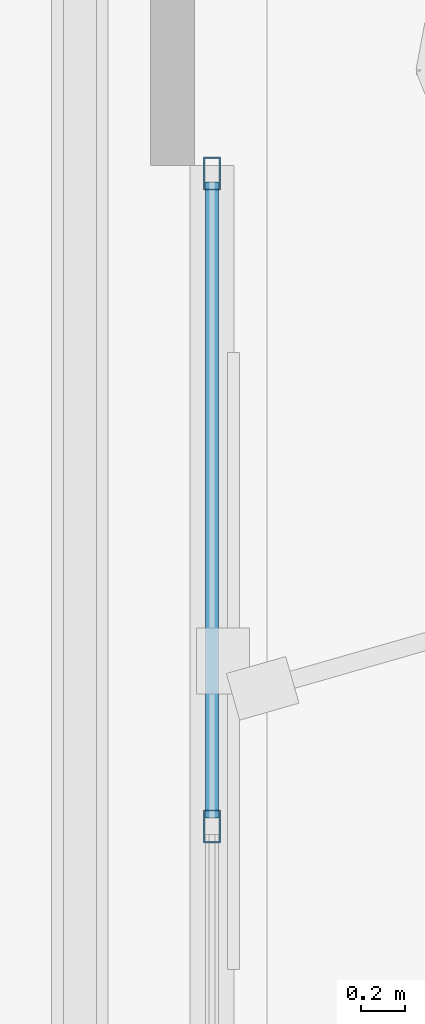
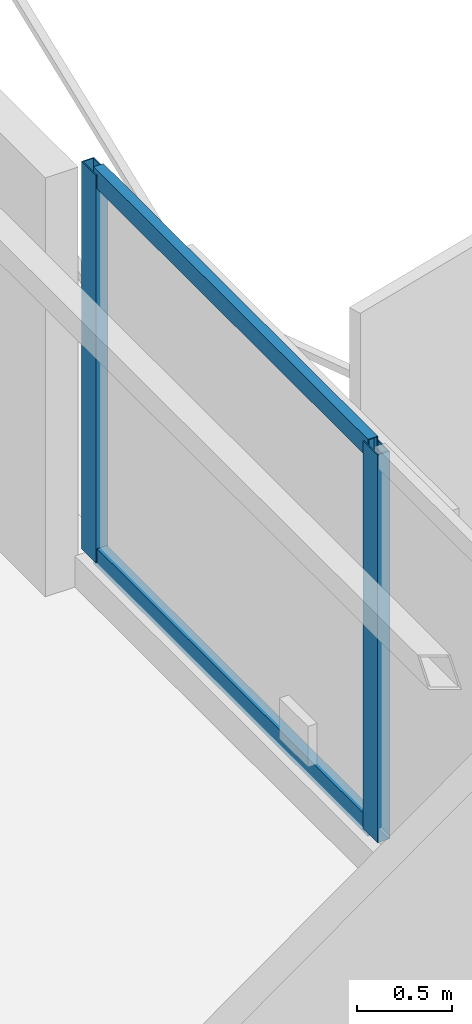
# One storey, part 13 of 22: 4 members, 1 element without a shape of its own.
"""IFC4 building model written with IfcOpenShell, lengths in metres."""

from ifc_helpers import new_model, si_unit, direction, frame, origin, origin_2d, place, context, subcontext, project, spatial, hollow_rectangle, extrude, material, layer, layer_set, material_profile, profile_set, type_object, element, aggregate, save


model = new_model("IFC4")

# Units and contexts
model_context = context("Model", 3, precision=1e-05, world=origin(), true_north=direction((0.0, 1.0)))
body_context = subcontext(model_context, "Body", "Model", "MODEL_VIEW")
ifc_project = project(units=[si_unit("LENGTHUNIT", "METRE"), si_unit("AREAUNIT", "SQUARE_METRE"), si_unit("VOLUMEUNIT", "CUBIC_METRE"), si_unit("PLANEANGLEUNIT", "RADIAN"), si_unit("MASSUNIT", "GRAM", prefix="KILO")], contexts=[model_context])

# Site, building, storey
site_placement = place(None, origin())
site = spatial("IfcSite", under=ifc_project, at=site_placement, CompositionType="ELEMENT")
building_placement = place(site_placement, origin())
building = spatial("IfcBuilding", under=site, at=building_placement, Name="Mersakhor Tower and Convention Hall", CompositionType="ELEMENT")
storey_placement = place(building_placement, frame((0.0, 0.0, 198.60009765625)))
storey = spatial("IfcBuildingStorey", under=building, at=storey_placement, Name="L55", CompositionType="ELEMENT", Elevation=198.60009765625)

# Curtain wall, members
ifc_material_1 = material(Name="Dark solar low-E aluminium curtain wall", Category="aluminium")
ifc_layer = layer(ifc_material_1, 0.169921875)
ifc_layer_set = layer_set([ifc_layer], Name="Dark solar low-E aluminium curtain wall")
curtain_wall_type = type_object("IfcCurtainWallType", Name="CW-SYS-02", PredefinedType="USERDEFINED", material=ifc_layer_set)
curtain_wall_placement = place(storey_placement, origin())
curtain_wall = element("IfcCurtainWall", 1, at=curtain_wall_placement, inside=storey, type_object=curtain_wall_type, Name="L55 Dark-Glass Curtain Wall F2-B2", ObjectType="CURTAIN WALL", PredefinedType="USERDEFINED")
ifc_material_2 = material(Name="Anodised aluminium EN AW-6063 T6", Category="aluminium")
ifc_material_profile_1 = material_profile(ifc_material_2, hollow_rectangle(XDim=0.074951171875, YDim=0.14990234375, WallThickness=0.00634765625, at=origin_2d()), Name="RHS 150x75x6.3")
ifc_profile_set_1 = profile_set([ifc_material_profile_1], Name="Anodised aluminium EN AW-6063 T6")
member_type_1 = type_object("IfcMemberType", Name="CWM-150x75", PredefinedType="MULLION", material=ifc_profile_set_1)
member_1_placement = place(storey_placement, frame((40.58837890625, 31.2119140625, 0.199951171875), z_axis=(0.0, 0.0, 1.0), x_axis=(1.0, 0.0, 0.0)))
member_1 = element("IfcMember", 2, at=member_1_placement, type_object=member_type_1, Name="CW-02 mullion 1", PredefinedType="MULLION", context=body_context, shape_type="SweptSolid", body=[
    extrude(hollow_rectangle(XDim=0.074951171875, YDim=0.14990234375, WallThickness=0.00634765625, at=origin_2d()), origin(), (0.0, 0.0, 1.0), 2.489990234375),
])
member_2_placement = place(storey_placement, frame((40.58837890625, 28.249755859375, 0.199951171875), z_axis=(0.0, 0.0, 1.0), x_axis=(1.0, 0.0, 0.0)))
member_2 = element("IfcMember", 3, at=member_2_placement, type_object=member_type_1, Name="CW-02 mullion 2", PredefinedType="MULLION", context=body_context, shape_type="SweptSolid", body=[
    extrude(hollow_rectangle(XDim=0.074951171875, YDim=0.14990234375, WallThickness=0.00634765625, at=origin_2d()), origin(), (0.0, 0.0, 1.0), 2.489990234375),
])
ifc_material_3 = material(Name="Anodised aluminium EN AW-6063 T6", Category="aluminium")
ifc_material_profile_2 = material_profile(ifc_material_3, hollow_rectangle(XDim=0.06005859375, YDim=0.1201171875, WallThickness=0.0048828125, at=origin_2d()), Name="RHS 120x60x5")
ifc_profile_set_2 = profile_set([ifc_material_profile_2], Name="Anodised aluminium EN AW-6063 T6")
member_type_2 = type_object("IfcMemberType", Name="CWT-120x60", PredefinedType="USERDEFINED", material=ifc_profile_set_2)
member_3_placement = place(storey_placement, frame((40.58837890625, 31.174560546875, 0.22998046875), z_axis=(0.0, -1.0, 0.0), x_axis=(1.0, 0.0, 0.0)))
member_3 = element("IfcMember", 4, at=member_3_placement, type_object=member_type_2, Name="CW-02 transom 1.1", ObjectType="TRANSOM", PredefinedType="USERDEFINED", context=body_context, shape_type="SweptSolid", body=[
    extrude(hollow_rectangle(XDim=0.06005859375, YDim=0.1201171875, WallThickness=0.0048828125, at=origin_2d()), origin(), (0.0, 0.0, 1.0), 2.88720703125),
])
member_4_placement = place(storey_placement, frame((40.58837890625, 31.174560546875, 2.659912109375), z_axis=(0.0, -1.0, 0.0), x_axis=(1.0, 0.0, 0.0)))
member_4 = element("IfcMember", 5, at=member_4_placement, type_object=member_type_2, Name="CW-02 transom 1.2", ObjectType="TRANSOM", PredefinedType="USERDEFINED", context=body_context, shape_type="SweptSolid", body=[
    extrude(hollow_rectangle(XDim=0.06005859375, YDim=0.1201171875, WallThickness=0.0048828125, at=origin_2d()), origin(), (0.0, 0.0, 1.0), 2.88720703125),
])
aggregate(curtain_wall, [member_1, member_2, member_3, member_4])

save(model, "model.ifc")
